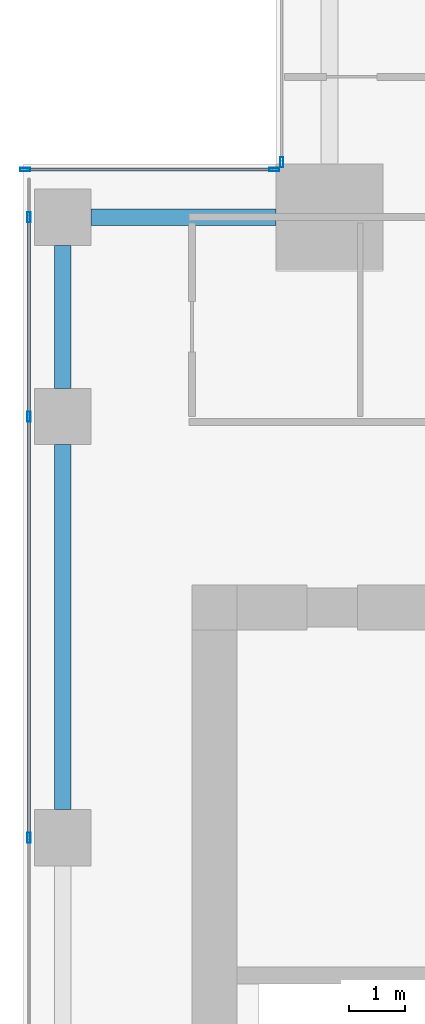
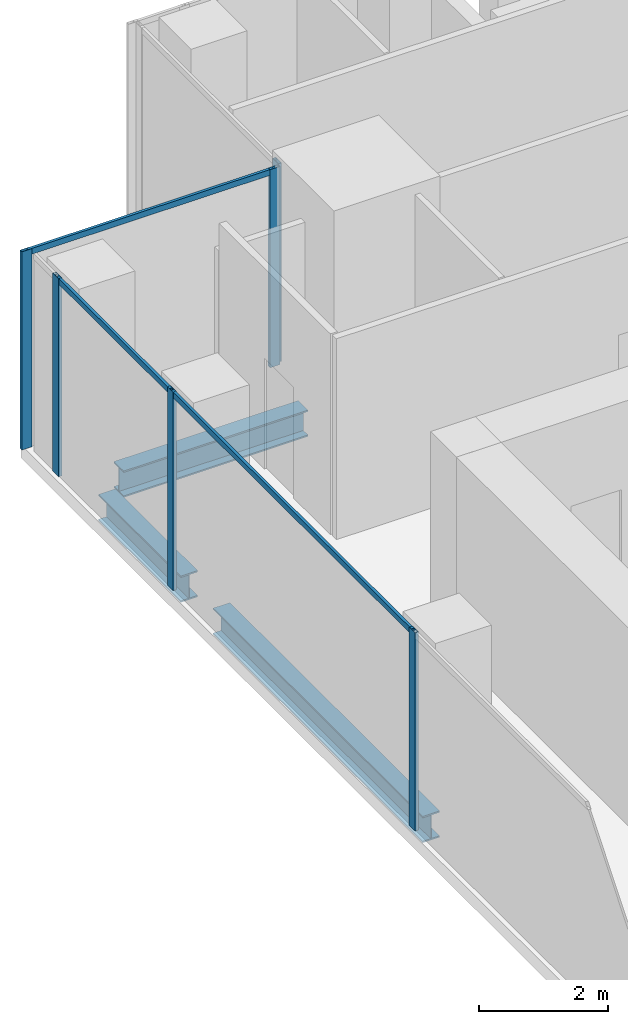
# One storey, part 18 of 40: 9 members, 3 beams, 3 elements without a shape of their own.
"""IFC4 building model written with IfcOpenShell, lengths in metres."""

from ifc_helpers import new_model, si_unit, direction, frame, origin, origin_2d, place, context, subcontext, project, spatial, hollow_rectangle, i_section, extrude, source, transform, mapped, material, material_profile, profile_set, type_object, element, aggregate, save


model = new_model("IFC4")

# Units and contexts
model_context = context("Model", 3, precision=1e-05, world=origin(), true_north=direction((0.0, 1.0)))
body_context = subcontext(model_context, "Body", "Model", "MODEL_VIEW")
ifc_project = project(units=[si_unit("LENGTHUNIT", "METRE"), si_unit("AREAUNIT", "SQUARE_METRE"), si_unit("VOLUMEUNIT", "CUBIC_METRE"), si_unit("PLANEANGLEUNIT", "RADIAN"), si_unit("MASSUNIT", "GRAM", prefix="KILO")], contexts=[model_context])

# Site, building, storey
site_placement = place(None, origin())
site = spatial("IfcSite", under=ifc_project, at=site_placement, CompositionType="ELEMENT")
building_placement = place(site_placement, origin())
building = spatial("IfcBuilding", under=site, at=building_placement, Name="Khomas Fold Tower", CompositionType="ELEMENT")
storey_placement = place(building_placement, frame((0.0, 0.0, 180.699951171875)))
storey = spatial("IfcBuildingStorey", under=building, at=storey_placement, Name="L39", CompositionType="ELEMENT", Elevation=180.699951171875)

# Beams
ifc_material_1 = material(Name="Steel S355", Category="steel")
ifc_material_profile_1 = material_profile(ifc_material_1, i_section(OverallWidth=0.300048828125, OverallDepth=0.5, WebThickness=0.014404296875, FlangeThickness=0.028076171875, at=origin_2d()), Name="HE 500 B")
ifc_profile_set_1 = profile_set([ifc_material_profile_1], Name="Steel S355")
beam_type = type_object("IfcBeamType", Name="HE 500 B spandrel SB3", PredefinedType="SPANDREL", material=ifc_profile_set_1)
shared_shape_1 = source(origin(), body_context, "Body", "SweptSolid", [
    extrude(i_section(OverallWidth=0.300048828125, OverallDepth=0.5, WebThickness=0.014404296875, FlangeThickness=0.028076171875, at=origin_2d()), origin(), (0.0, 0.0, 1.0), 2.550048828125),
])
beam_1_placement = place(storey_placement, frame((3.699951171875, 42.5, -0.5), z_axis=(0.0, 1.0, 0.0), x_axis=(-1.0, 0.0, 0.0)))
element("IfcBeam", 1, at=beam_1_placement, inside=storey, type_object=beam_type, Name="SB3", PredefinedType="SPANDREL", context=body_context, shape_type="MappedRepresentation", body=[
    mapped(shared_shape_1, transform((0.0, 0.0, 0.0))),
])
shared_shape_2 = source(origin(), body_context, "Body", "SweptSolid", [
    extrude(i_section(OverallWidth=0.300048828125, OverallDepth=0.5, WebThickness=0.014404296875, FlangeThickness=0.028076171875, at=origin_2d()), origin(), (0.0, 0.0, 1.0), 6.5),
])
beam_2_placement = place(storey_placement, frame((3.699951171875, 35.0, -0.5), z_axis=(0.0, 1.0, 0.0), x_axis=(-1.0, 0.0, 0.0)))
element("IfcBeam", 2, at=beam_2_placement, inside=storey, type_object=beam_type, Name="SB3", PredefinedType="SPANDREL", context=body_context, shape_type="MappedRepresentation", body=[
    mapped(shared_shape_2, transform((0.0, 0.0, 0.0))),
])
shared_shape_3 = source(origin(), body_context, "Body", "SweptSolid", [
    extrude(i_section(OverallWidth=0.300048828125, OverallDepth=0.5, WebThickness=0.014404296875, FlangeThickness=0.028076171875, at=origin_2d()), origin(), (0.0, 0.0, 1.0), 3.300048828125),
])
beam_3_placement = place(storey_placement, frame((4.199951171875, 45.550048828125, -0.5), z_axis=(1.0, 0.0, 0.0), x_axis=(0.0, 1.0, 0.0)))
element("IfcBeam", 3, at=beam_3_placement, inside=storey, type_object=beam_type, Name="SB3", PredefinedType="SPANDREL", context=body_context, shape_type="MappedRepresentation", body=[
    mapped(shared_shape_3, transform((0.0, 0.0, 0.0))),
])

# Curtain wall, member
ifc_material_2 = material(Name="Aluminium framed double glazing", Category="aluminium")
curtain_wall_type = type_object("IfcCurtainWallType", Name="SK-Unitised clear-glass wall, office floors CW2", PredefinedType="NOTDEFINED", material=ifc_material_2)
curtain_wall_1_placement = place(storey_placement, origin())
curtain_wall_1 = element("IfcCurtainWall", 4, at=curtain_wall_1_placement, inside=storey, type_object=curtain_wall_type, Name="CW2 corner return L39 16", PredefinedType="NOTDEFINED")
ifc_material_3 = material(Name="Aluminium", Category="aluminium")
ifc_material_profile_2 = material_profile(ifc_material_3, hollow_rectangle(XDim=0.06005859375, YDim=0.179931640625, WallThickness=0.00390625, at=origin_2d()), Name="SK-Unitised clear-glass wall, office floors mullion CW2-M")
ifc_profile_set_2 = profile_set([ifc_material_profile_2], Name="Aluminium")
member_type_1 = type_object("IfcMemberType", Name="SK-Unitised clear-glass wall, office floors mullion CW2-M", PredefinedType="MULLION", material=ifc_profile_set_2)
shared_shape_4 = source(origin(), body_context, "Body", "SweptSolid", [
    extrude(hollow_rectangle(XDim=0.06005859375, YDim=0.179931640625, WallThickness=0.00390625, at=origin_2d()), origin(), (0.0, 0.0, 1.0), 3.75),
])
member_1_placement = place(storey_placement, frame((7.60009765625, 46.530029296875, 0.0), z_axis=(0.0, 0.0, 1.0), x_axis=(1.0, 0.0, 0.0)))
member_1 = element("IfcMember", 5, at=member_1_placement, type_object=member_type_1, Name="CW2 mullion 2", PredefinedType="MULLION", context=body_context, shape_type="MappedRepresentation", body=[
    mapped(shared_shape_4, transform((0.0, 0.0, 0.0))),
])
aggregate(curtain_wall_1, [member_1])

# Curtain wall, members
curtain_wall_2_placement = place(storey_placement, origin())
curtain_wall_2 = element("IfcCurtainWall", 6, at=curtain_wall_2_placement, inside=storey, type_object=curtain_wall_type, Name="CW2 corner return L39 17", PredefinedType="NOTDEFINED")
member_2_placement = place(storey_placement, frame((7.469970703125, 46.39990234375, 0.0), z_axis=(0.0, 0.0, 1.0), x_axis=(0.0, -1.0, 0.0)))
member_2 = element("IfcMember", 7, at=member_2_placement, type_object=member_type_1, Name="CW2 mullion 1", PredefinedType="MULLION", context=body_context, shape_type="MappedRepresentation", body=[
    mapped(shared_shape_4, transform((0.0, 0.0, 0.0))),
])
member_3_placement = place(storey_placement, frame((3.030029296875, 46.39990234375, 0.0), z_axis=(0.0, 0.0, 1.0), x_axis=(0.0, -1.0, 0.0)))
member_3 = element("IfcMember", 8, at=member_3_placement, type_object=member_type_1, Name="CW2 mullion 2", PredefinedType="MULLION", context=body_context, shape_type="MappedRepresentation", body=[
    mapped(shared_shape_4, transform((0.0, 0.0, 0.0))),
])

curtain_wall_3_placement = place(storey_placement, origin())
curtain_wall_3 = element("IfcCurtainWall", 9, at=curtain_wall_3_placement, inside=storey, type_object=curtain_wall_type, Name="CW2 run L39 18-0", PredefinedType="NOTDEFINED")
member_4_placement = place(storey_placement, frame((3.10009765625, 45.550048828125, 0.0), z_axis=(0.0, 0.0, 1.0), x_axis=(1.0, 0.0, 0.0)))
member_4 = element("IfcMember", 10, at=member_4_placement, type_object=member_type_1, Name="CW2 mullion 2", PredefinedType="MULLION", context=body_context, shape_type="MappedRepresentation", body=[
    mapped(shared_shape_4, transform((0.0, 0.0, 0.0))),
])
member_5_placement = place(storey_placement, frame((3.10009765625, 42.0, 0.0), z_axis=(0.0, 0.0, 1.0), x_axis=(1.0, 0.0, 0.0)))
member_5 = element("IfcMember", 11, at=member_5_placement, type_object=member_type_1, Name="CW2 mullion 3", PredefinedType="MULLION", context=body_context, shape_type="MappedRepresentation", body=[
    mapped(shared_shape_4, transform((0.0, 0.0, 0.0))),
])
member_6_placement = place(storey_placement, frame((3.10009765625, 34.5, 0.0), z_axis=(0.0, 0.0, 1.0), x_axis=(1.0, 0.0, 0.0)))
member_6 = element("IfcMember", 12, at=member_6_placement, type_object=member_type_1, Name="CW2 mullion 4", PredefinedType="MULLION", context=body_context, shape_type="MappedRepresentation", body=[
    mapped(shared_shape_4, transform((0.0, 0.0, 0.0))),
])

# Member
ifc_material_4 = material(Name="Aluminium", Category="aluminium")
ifc_material_profile_3 = material_profile(ifc_material_4, hollow_rectangle(XDim=0.050048828125, YDim=0.110107421875, WallThickness=0.00390625, at=origin_2d()), Name="SK-Unitised clear-glass wall, office floors transom CW2-T")
ifc_profile_set_3 = profile_set([ifc_material_profile_3], Name="Aluminium")
member_type_2 = type_object("IfcMemberType", Name="SK-Unitised clear-glass wall, office floors transom CW2-T", PredefinedType="USERDEFINED", material=ifc_profile_set_3)
shared_shape_5 = source(origin(), body_context, "Body", "SweptSolid", [
    extrude(hollow_rectangle(XDim=0.050048828125, YDim=0.110107421875, WallThickness=0.00390625, at=origin_2d()), origin(), (0.0, 0.0, 1.0), 4.3798828125),
])
member_7_placement = place(storey_placement, frame((7.43994140625, 46.39990234375, 3.695068359375), z_axis=(-1.0, 0.0, 0.0), x_axis=(0.0, -1.0, 0.0)))
member_7 = element("IfcMember", 13, at=member_7_placement, type_object=member_type_2, Name="CW2 transom 1", ObjectType="TRANSOM", PredefinedType="USERDEFINED", context=body_context, shape_type="MappedRepresentation", body=[
    mapped(shared_shape_5, transform((0.0, 0.0, 0.0))),
])

aggregate(curtain_wall_2, [member_2, member_3, member_7])

shared_shape_6 = source(origin(), body_context, "Body", "SweptSolid", [
    extrude(hollow_rectangle(XDim=0.050048828125, YDim=0.110107421875, WallThickness=0.00390625, at=origin_2d()), origin(), (0.0, 0.0, 1.0), 3.489990234375),
])
member_8_placement = place(storey_placement, frame((3.10009765625, 45.52001953125, 3.695068359375), z_axis=(0.0, -1.0, 0.0), x_axis=(1.0, 0.0, 0.0)))
member_8 = element("IfcMember", 14, at=member_8_placement, type_object=member_type_2, Name="CW2 transom 2", ObjectType="TRANSOM", PredefinedType="USERDEFINED", context=body_context, shape_type="MappedRepresentation", body=[
    mapped(shared_shape_6, transform((0.0, 0.0, 0.0))),
])

shared_shape_7 = source(origin(), body_context, "Body", "SweptSolid", [
    extrude(hollow_rectangle(XDim=0.050048828125, YDim=0.110107421875, WallThickness=0.00390625, at=origin_2d()), origin(), (0.0, 0.0, 1.0), 7.43994140625),
])
member_9_placement = place(storey_placement, frame((3.10009765625, 41.969970703125, 3.695068359375), z_axis=(0.0, -1.0, 0.0), x_axis=(1.0, 0.0, 0.0)))
member_9 = element("IfcMember", 15, at=member_9_placement, type_object=member_type_2, Name="CW2 transom 3", ObjectType="TRANSOM", PredefinedType="USERDEFINED", context=body_context, shape_type="MappedRepresentation", body=[
    mapped(shared_shape_7, transform((0.0, 0.0, 0.0))),
])

aggregate(curtain_wall_3, [member_4, member_5, member_6, member_8, member_9])

save(model, "model.ifc")
